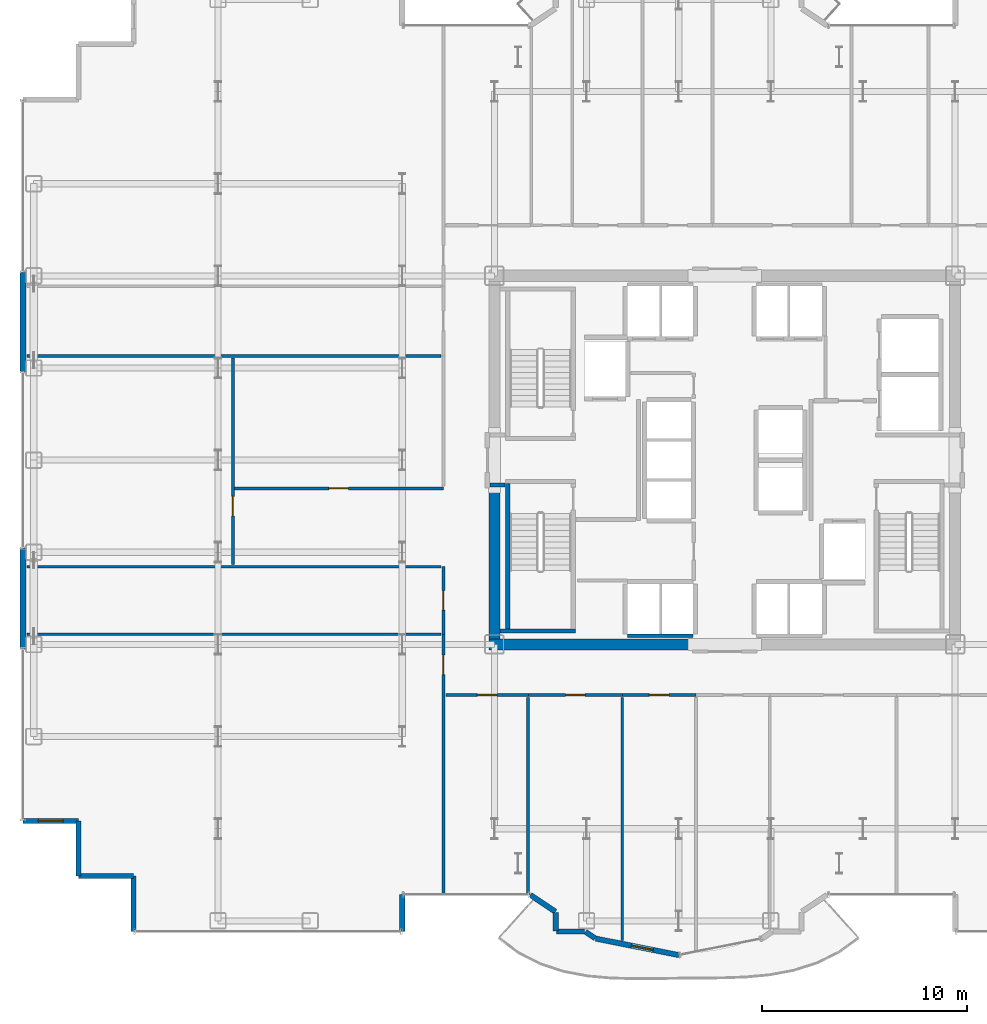
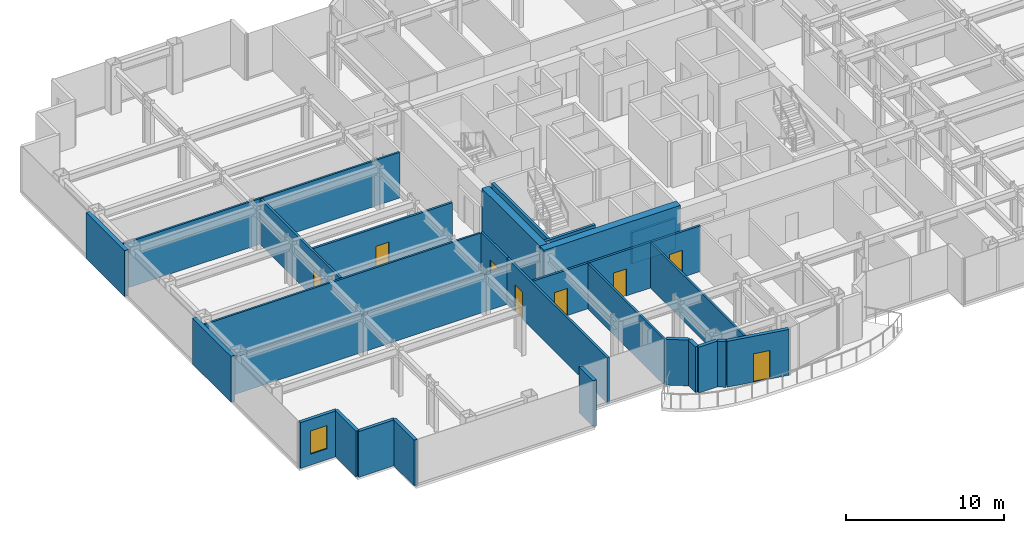
# One storey, part 22 of 29: 30 walls, 8 doors, 1 window, 9 openings.
"""IFC4 building model written with IfcOpenShell, lengths in metres."""

from ifc_helpers import new_model, si_unit, direction, frame, frame_2d, origin, place, context, subcontext, project, spatial, rectangle, extrude, source, transform, mapped, material, layer, layer_set, type_object, element, fill, save


model = new_model("IFC4")

# Units and contexts
model_context = context("Model", 3, precision=1e-05, world=origin(), true_north=direction((0.0, 1.0)))
body_context = subcontext(model_context, "Body", "Model", "MODEL_VIEW")
ifc_project = project(units=[si_unit("LENGTHUNIT", "METRE"), si_unit("AREAUNIT", "SQUARE_METRE"), si_unit("VOLUMEUNIT", "CUBIC_METRE"), si_unit("PLANEANGLEUNIT", "RADIAN"), si_unit("MASSUNIT", "GRAM", prefix="KILO")], contexts=[model_context])

# Site, building, storey
site_placement = place(None, origin())
site = spatial("IfcSite", under=ifc_project, at=site_placement, CompositionType="ELEMENT")
building_placement = place(site_placement, origin())
building = spatial("IfcBuilding", under=site, at=building_placement, Name="Nefas-Gora Pilgrimage Tower", CompositionType="ELEMENT")
storey_placement = place(building_placement, frame((0.0, 0.0, 113.60009765625)))
storey = spatial("IfcBuildingStorey", under=building, at=storey_placement, Name="L27", CompositionType="ELEMENT", Elevation=113.60009765625)

# Walls
ifc_material_1 = material(Name="Concrete C60/75", Category="concrete")
ifc_layer_1 = layer(ifc_material_1, 0.550048828125)
ifc_layer_set_1 = layer_set([ifc_layer_1], Name="Concrete C60/75")
wall_type_1 = type_object("IfcWallType", Name="SW-CORE-550", PredefinedType="SHEAR", material=ifc_layer_set_1)
shared_shape_1 = source(origin(), body_context, "Body", "SweptSolid", [
    extrude(rectangle(XDim=9.974853515625, YDim=0.550048828125, at=frame_2d((4.9873046875, 0.0))), origin(), (0.0, 0.0, 1.0), 3.7998046875),
])
wall_1_placement = place(storey_placement, frame((-11.52490234375, -9.0, 0.0), z_axis=(0.0, 0.0, 1.0), x_axis=(1.0, 0.0, 0.0)))
element("IfcWall", 1, at=wall_1_placement, inside=storey, type_object=wall_type_1, Name="L27 Core Shear Wall S-West", PredefinedType="SHEAR", context=body_context, shape_type="MappedRepresentation", body=[
    mapped(shared_shape_1, transform((0.0, 0.0, 0.0), x_axis=(1.0, 0.0, 0.0), y_axis=(0.0, 1.0, 0.0), z_axis=(0.0, 0.0, 1.0), scale=1.0)),
])
shared_shape_2 = source(origin(), body_context, "Body", "SweptSolid", [
    extrude(rectangle(XDim=7.375, YDim=0.550048828125, at=frame_2d((3.6875, 0.0))), origin(), (0.0, 0.0, 1.0), 3.7998046875),
])
wall_2_placement = place(storey_placement, frame((-11.25, -8.72509765625, 0.0), z_axis=(0.0, 0.0, 1.0), x_axis=(0.0, 1.0, 0.0)))
element("IfcWall", 2, at=wall_2_placement, inside=storey, type_object=wall_type_1, Name="L27 Core Shear Wall W-South", PredefinedType="SHEAR", context=body_context, shape_type="MappedRepresentation", body=[
    mapped(shared_shape_2, transform((0.0, 0.0, 0.0), x_axis=(1.0, 0.0, 0.0), y_axis=(0.0, 1.0, 0.0), z_axis=(0.0, 0.0, 1.0), scale=1.0)),
])
ifc_material_2 = material(Name="Precast concrete C40/50", Category="concrete")
ifc_layer_2 = layer(ifc_material_2, 0.260009765625)
ifc_layer_set_2 = layer_set([ifc_layer_2], Name="Precast concrete C40/50")
wall_type_2 = type_object("IfcWallType", Name="EW-PORTAL-260", PredefinedType="SOLIDWALL", material=ifc_layer_set_2)
shared_shape_3 = source(origin(), body_context, "Body", "SweptSolid", [
    extrude(rectangle(XDim=1.800048828125, YDim=0.260009765625, at=frame_2d((0.89990234375, 0.0))), origin(), (0.0, 0.0, 1.0), 3.5498046875),
])
wall_3_placement = place(storey_placement, frame((-15.75, -23.02001953125, 0.0), z_axis=(0.0, 0.0, 1.0), x_axis=(0.0, 1.0, 0.0)))
element("IfcWall", 3, at=wall_3_placement, inside=storey, type_object=wall_type_2, Name="L27 Lobe Shoulder Precast Spandrel Pier 33", PredefinedType="SOLIDWALL", context=body_context, shape_type="MappedRepresentation", body=[
    mapped(shared_shape_3, transform((0.0, 0.0, 0.0), x_axis=(1.0, 0.0, 0.0), y_axis=(0.0, 1.0, 0.0), z_axis=(0.0, 0.0, 1.0), scale=1.0)),
])

# Wall, opening, window
ifc_material_3 = material(Name="Precast concrete C45/55", Category="concrete")
ifc_layer_3 = layer(ifc_material_3, 0.239990234375)
ifc_layer_set_3 = layer_set([ifc_layer_3], Name="Precast concrete C45/55")
wall_type_3 = type_object("IfcWallType", Name="EW-SERR-240", PredefinedType="SHEAR", material=ifc_layer_set_3)
shared_shape_4 = source(origin(), body_context, "Body", "SweptSolid", [
    extrude(rectangle(XDim=2.699951171875, YDim=0.239990234375, at=frame_2d((1.35009765625, 0.0))), origin(), (0.0, 0.0, 1.0), 3.5498046875),
])
wall_4_placement = place(storey_placement, frame((-34.27001953125, -17.6201171875, 0.0), z_axis=(0.0, 0.0, 1.0), x_axis=(1.0, 0.0, 0.0)))
wall_4 = element("IfcWall", 4, at=wall_4_placement, inside=storey, type_object=wall_type_3, Name="L27 Serrated Corner Shear Pier Wall 29", PredefinedType="SHEAR", context=body_context, shape_type="MappedRepresentation", body=[
    mapped(shared_shape_4, transform((0.0, 0.0, 0.0), x_axis=(1.0, 0.0, 0.0), y_axis=(0.0, 1.0, 0.0), z_axis=(0.0, 0.0, 1.0), scale=1.0)),
])
opening_1_placement = place(wall_4_placement, frame((0.75, 0.0, 0.85009765625)))
opening_1 = element("IfcOpeningElement", 5, at=opening_1_placement, cuts=wall_4, Name="Opening W-V1", PredefinedType="OPENING", context=body_context, shape_type="SweptSolid", body=[
    extrude(rectangle(XDim=1.199951171875, YDim=1.800048828125, at=frame_2d((0.60009765625, 0.89990234375))), frame((0.0, 0.1298828125, 0.0), z_axis=(0.0, -1.0, 0.0), x_axis=(1.0, 0.0, 0.0)), (0.0, 0.0, 1.0), 0.260009765625),
])
ifc_material_4 = material(Name="Dark ceramic-fritted operable aluminium-glass window", Category="aluminium")
window_type = type_object("IfcWindowType", Name="WIN-VENT-1200x1800", PartitioningType="SINGLE_PANEL", PredefinedType="WINDOW", material=ifc_material_4)
shared_shape_5 = source(origin(), body_context, "Body", "SweptSolid", [
    extrude(rectangle(XDim=1.199951171875, YDim=1.800048828125, at=frame_2d((0.60009765625, 0.89990234375))), frame((0.0, 0.030029296875, 0.0), z_axis=(0.0, -1.0, 0.0), x_axis=(1.0, 0.0, 0.0)), (0.0, 0.0, 1.0), 0.06005859375),
])
window_placement = place(opening_1_placement, origin())
window = element("IfcWindow", 6, at=window_placement, inside=storey, type_object=window_type, Name="L27 Operable Parallel-Outswing Window 29", OverallHeight=1.800048828125, OverallWidth=1.199951171875, PartitioningType="SINGLE_PANEL", PredefinedType="WINDOW", context=body_context, shape_type="MappedRepresentation", body=[
    mapped(shared_shape_5, transform((0.0, 0.0, 0.0), x_axis=(1.0, 0.0, 0.0), y_axis=(0.0, 1.0, 0.0), z_axis=(0.0, 0.0, 1.0), scale=1.0)),
])
fill(opening_1, window)

# Walls
for number, where, z_axis, x_axis, name in (
    (7, (-31.570068359375, -17.6201171875, 0.0), (0.0, 0.0, 1.0), (0.0, -1.0, 0.0), "L27 Serrated Corner Shear Pier Wall 30"),
    (8, (-31.570068359375, -20.320068359375, 0.0), (0.0, 0.0, 1.0), (1.0, 0.0, 0.0), "L27 Serrated Corner Shear Pier Wall 31"),
    (9, (-28.8701171875, -20.320068359375, 0.0), (0.0, 0.0, 1.0), (0.0, -1.0, 0.0), "L27 Serrated Corner Shear Pier Wall 32"),
):
    element("IfcWall", number, at=place(storey_placement, frame(where, z_axis=z_axis, x_axis=x_axis)), inside=storey, type_object=wall_type_3, Name=name, PredefinedType="SHEAR", context=body_context, shape_type="MappedRepresentation", body=[
        mapped(shared_shape_4, transform((0.0, 0.0, 0.0), x_axis=(1.0, 0.0, 0.0), y_axis=(0.0, 1.0, 0.0), z_axis=(0.0, 0.0, 1.0), scale=1.0)),
    ])
shared_shape_6 = source(origin(), body_context, "Body", "SweptSolid", [
    extrude(rectangle(XDim=1.468994140625, YDim=0.260009765625, at=frame_2d((0.734375, 0.0))), origin(), (0.0, 0.0, 1.0), 3.5498046875),
])
wall_5_placement = place(storey_placement, frame((-9.49462890625, -21.235595703125, 0.0), z_axis=(0.0, 0.0, 1.0), x_axis=(0.831461760506, -0.555581983884, 0.0)))
element("IfcWall", 10, at=wall_5_placement, inside=storey, type_object=wall_type_2, Name="L27 Lobe Shoulder Precast Spandrel Pier 34", PredefinedType="SOLIDWALL", context=body_context, shape_type="MappedRepresentation", body=[
    mapped(shared_shape_6, transform((0.0, 0.0, 0.0), x_axis=(1.0, 0.0, 0.0), y_axis=(0.0, 1.0, 0.0), z_axis=(0.0, 0.0, 1.0), scale=1.0)),
])
shared_shape_7 = source(origin(), body_context, "Body", "SweptSolid", [
    extrude(rectangle(XDim=0.896728515625, YDim=0.260009765625, at=frame_2d((0.4482421875, 0.0))), origin(), (0.0, 0.0, 1.0), 3.5498046875),
])
wall_6_placement = place(storey_placement, frame((-8.25, -22.09521484375, 0.0), z_axis=(0.0, 0.0, 1.0), x_axis=(0.0, -1.0, 0.0)))
element("IfcWall", 11, at=wall_6_placement, inside=storey, type_object=wall_type_2, Name="L27 Lobe Shoulder Precast Spandrel Pier 35", PredefinedType="SOLIDWALL", context=body_context, shape_type="MappedRepresentation", body=[
    mapped(shared_shape_7, transform((0.0, 0.0, 0.0), x_axis=(1.0, 0.0, 0.0), y_axis=(0.0, 1.0, 0.0), z_axis=(0.0, 0.0, 1.0), scale=1.0)),
])
shared_shape_8 = source(origin(), body_context, "Body", "SweptSolid", [
    extrude(rectangle(XDim=1.369873046875, YDim=0.260009765625, at=frame_2d((0.68505859375, 0.0))), origin(), (0.0, 0.0, 1.0), 3.5498046875),
])
wall_7_placement = place(storey_placement, frame((-8.221923828125, -23.02001953125, 0.0), z_axis=(0.0, 0.0, 1.0), x_axis=(1.0, 0.0, 0.0)))
element("IfcWall", 12, at=wall_7_placement, inside=storey, type_object=wall_type_2, Name="L27 Lobe Shoulder Precast Spandrel Pier 36", PredefinedType="SOLIDWALL", context=body_context, shape_type="MappedRepresentation", body=[
    mapped(shared_shape_8, transform((0.0, 0.0, 0.0), x_axis=(1.0, 0.0, 0.0), y_axis=(0.0, 1.0, 0.0), z_axis=(0.0, 0.0, 1.0), scale=1.0)),
])
shared_shape_9 = source(origin(), body_context, "Body", "SweptSolid", [
    extrude(rectangle(XDim=0.5654296875, YDim=0.260009765625, at=frame_2d((0.28271484375, 0.0))), origin(), (0.0, 0.0, 1.0), 3.5498046875),
])
wall_8_placement = place(storey_placement, frame((-6.80078125, -23.03564453125, 0.0), z_axis=(0.0, 0.0, 1.0), x_axis=(0.831651492666, -0.555297933317, 0.0)))
element("IfcWall", 13, at=wall_8_placement, inside=storey, type_object=wall_type_2, Name="L27 Lobe Shoulder Precast Spandrel Pier 37", PredefinedType="SOLIDWALL", context=body_context, shape_type="MappedRepresentation", body=[
    mapped(shared_shape_9, transform((0.0, 0.0, 0.0), x_axis=(1.0, 0.0, 0.0), y_axis=(0.0, 1.0, 0.0), z_axis=(0.0, 0.0, 1.0), scale=1.0)),
])
shared_shape_10 = source(origin(), body_context, "Body", "SweptSolid", [
    extrude(rectangle(XDim=4.8798828125, YDim=0.300048828125, at=frame_2d((2.43994140625, 0.0))), origin(), (0.0, 0.0, 1.0), 3.5498046875),
])
for number, where, z_axis, x_axis, name in (
    (14, (-34.27001953125, -9.18994140625, 0.0), (0.0, 0.0, 1.0), (0.0, 1.0, 0.0), "L27 Braced-Tube Precast Shear Cladding 1"),
    (15, (-34.27001953125, 4.31005859375, 0.0), (0.0, 0.0, 1.0), (0.0, 1.0, 0.0), "L27 Braced-Tube Precast Shear Cladding 2"),
):
    element("IfcWall", number, at=place(storey_placement, frame(where, z_axis=z_axis, x_axis=x_axis)), inside=storey, type_object=wall_type_3, Name=name, PredefinedType="SHEAR", context=body_context, shape_type="MappedRepresentation", body=[
        mapped(shared_shape_10, transform((0.0, 0.0, 0.0), x_axis=(1.0, 0.0, 0.0), y_axis=(0.0, 1.0, 0.0), z_axis=(0.0, 0.0, 1.0), scale=1.0)),
    ])

# Wall, opening, door
shared_shape_11 = source(origin(), body_context, "Body", "SweptSolid", [
    extrude(rectangle(XDim=4.136962890625, YDim=0.260009765625, at=frame_2d((2.068359375, 0.0))), origin(), (0.0, 0.0, 1.0), 3.5498046875),
])
wall_9_placement = place(storey_placement, frame((-6.307373046875, -23.365234375, 0.0), z_axis=(0.0, 0.0, 1.0), x_axis=(0.980782170794, -0.195105954428, 0.0)))
wall_9 = element("IfcWall", 16, at=wall_9_placement, inside=storey, type_object=wall_type_2, Name="L27 Insulated Terrace Portal Wall 38", PredefinedType="SOLIDWALL", context=body_context, shape_type="MappedRepresentation", body=[
    mapped(shared_shape_11, transform((0.0, 0.0, 0.0), x_axis=(1.0, 0.0, 0.0), y_axis=(0.0, 1.0, 0.0), z_axis=(0.0, 0.0, 1.0), scale=1.0)),
])
opening_2_placement = place(wall_9_placement, frame((1.776123046875, 0.0, 0.0)))
opening_2 = element("IfcOpeningElement", 17, at=opening_2_placement, cuts=wall_9, Name="Opening ED-B1", PredefinedType="OPENING", context=body_context, shape_type="SweptSolid", body=[
    extrude(rectangle(XDim=1.10009765625, YDim=2.199951171875, at=frame_2d((0.550048828125, 1.10009765625))), frame((0.0, 0.139892578125, 0.0), z_axis=(0.0, -1.0, 0.0), x_axis=(1.0, 0.0, 0.0)), (0.0, 0.0, 1.0), 0.280029296875),
])
ifc_material_5 = material(Name="Thermally broken glazed aluminium balcony door", Category="aluminium")
door_type_1 = type_object("IfcDoorType", Name="DR-EXT-BAL-1100", OperationType="NOTDEFINED", PredefinedType="DOOR", material=ifc_material_5)
shared_shape_12 = source(origin(), body_context, "Body", "SweptSolid", [
    extrude(rectangle(XDim=1.10009765625, YDim=2.199951171875, at=frame_2d((0.550048828125, 1.10009765625))), frame((0.0, 0.02490234375, 0.0), z_axis=(0.0, -1.0, 0.0), x_axis=(1.0, 0.0, 0.0)), (0.0, 0.0, 1.0), 0.050048828125),
])
door_1_placement = place(opening_2_placement, origin())
door_1 = element("IfcDoor", 18, at=door_1_placement, inside=storey, type_object=door_type_1, Name="L27 Exterior Door (L27 S Lobe Wave Balcony)", OperationType="SINGLE_SWING_LEFT", OverallHeight=2.199951171875, OverallWidth=1.10009765625, PredefinedType="DOOR", context=body_context, shape_type="MappedRepresentation", body=[
    mapped(shared_shape_12, transform((0.0, 0.0, 0.0), x_axis=(1.0, 0.0, 0.0), y_axis=(0.0, 1.0, 0.0), z_axis=(0.0, 0.0, 1.0), scale=1.0)),
])
fill(opening_2, door_1)

# Walls
ifc_material_6 = material(Name="Concrete C45/55", Category="concrete")
ifc_layer_4 = layer(ifc_material_6, 0.199951171875)
ifc_layer_set_4 = layer_set([ifc_layer_4], Name="Concrete C45/55")
wall_type_4 = type_object("IfcWallType", Name="IW-STAIR-200", PredefinedType="SOLIDWALL", material=ifc_layer_set_4)
shared_shape_13 = source(origin(), body_context, "Body", "SweptSolid", [
    extrude(rectangle(XDim=7.10009765625, YDim=0.199951171875, at=frame_2d((3.550048828125, 0.0))), origin(), (0.0, 0.0, 1.0), 3.7998046875),
])
wall_10_placement = place(storey_placement, frame((-10.60009765625, -1.14990234375, 0.0), z_axis=(0.0, 0.0, 1.0), x_axis=(0.0, -1.0, 0.0)))
element("IfcWall", 19, at=wall_10_placement, inside=storey, type_object=wall_type_4, Name="L27 Stairwell Shear Wall ST-03-left", PredefinedType="SOLIDWALL", context=body_context, shape_type="MappedRepresentation", body=[
    mapped(shared_shape_13, transform((0.0, 0.0, 0.0), x_axis=(1.0, 0.0, 0.0), y_axis=(0.0, 1.0, 0.0), z_axis=(0.0, 0.0, 1.0), scale=1.0)),
])
shared_shape_14 = source(origin(), body_context, "Body", "SweptSolid", [
    extrude(rectangle(XDim=3.679931640625, YDim=0.199951171875, at=frame_2d((1.83984375, 0.0))), origin(), (0.0, 0.0, 1.0), 3.7998046875),
])
wall_11_placement = place(storey_placement, frame((-10.97998046875, -8.35009765625, 0.0), z_axis=(0.0, 0.0, 1.0), x_axis=(1.0, 0.0, 0.0)))
element("IfcWall", 20, at=wall_11_placement, inside=storey, type_object=wall_type_4, Name="L27 Stairwell Shear Wall ST-03-far", PredefinedType="SOLIDWALL", context=body_context, shape_type="MappedRepresentation", body=[
    mapped(shared_shape_14, transform((0.0, 0.0, 0.0), x_axis=(1.0, 0.0, 0.0), y_axis=(0.0, 1.0, 0.0), z_axis=(0.0, 0.0, 1.0), scale=1.0)),
])
ifc_material_7 = material(Name="Gypsum acoustic stud partition")
ifc_layer_5 = layer(ifc_material_7, 0.159912109375)
ifc_layer_set_5 = layer_set([ifc_layer_5], Name="Gypsum acoustic stud partition")
wall_type_5 = type_object("IfcWallType", Name="IW-CORR-160", PredefinedType="PARTITIONING", material=ifc_layer_set_5)
shared_shape_15 = source(origin(), body_context, "Body", "SweptSolid", [
    extrude(rectangle(XDim=3.199951171875, YDim=0.159912109375, at=frame_2d((1.60009765625, 0.0))), origin(), (0.0, 0.0, 1.0), 2.4248046875),
])
wall_12_placement = place(storey_placement, frame((-4.75, -8.580078125, 0.0), z_axis=(0.0, 0.0, 1.0), x_axis=(1.0, 0.0, 0.0)))
element("IfcWall", 21, at=wall_12_placement, inside=storey, type_object=wall_type_5, Name="L27 Hoistway Wall PL2-W-S", PredefinedType="PARTITIONING", context=body_context, shape_type="MappedRepresentation", body=[
    mapped(shared_shape_15, transform((0.0, 0.0, 0.0), x_axis=(1.0, 0.0, 0.0), y_axis=(0.0, 1.0, 0.0), z_axis=(0.0, 0.0, 1.0), scale=1.0)),
])
ifc_material_8 = material(Name="Gypsum fire-rated shaftwall")
ifc_layer_6 = layer(ifc_material_8, 0.199951171875)
ifc_layer_set_6 = layer_set([ifc_layer_6], Name="Gypsum fire-rated shaftwall")
wall_type_6 = type_object("IfcWallType", Name="IW-FFLOB-200", PredefinedType="PARTITIONING", material=ifc_layer_set_6)
shared_shape_16 = source(origin(), body_context, "Body", "SweptSolid", [
    extrude(rectangle(XDim=0.719970703125, YDim=0.199951171875, at=frame_2d((0.35986328125, 0.0))), origin(), (0.0, 0.0, 1.0), 3.534912109375),
])
wall_13_placement = place(storey_placement, frame((-11.4599609375, -1.219970703125, 0.0), z_axis=(0.0, 0.0, 1.0), x_axis=(1.0, 0.0, 0.0)))
element("IfcWall", 22, at=wall_13_placement, inside=storey, type_object=wall_type_6, Name="L27 FF Lobby West Throat S Wall 7", PredefinedType="PARTITIONING", context=body_context, shape_type="MappedRepresentation", body=[
    mapped(shared_shape_16, transform((0.0, 0.0, 0.0), x_axis=(1.0, 0.0, 0.0), y_axis=(0.0, 1.0, 0.0), z_axis=(0.0, 0.0, 1.0), scale=1.0)),
])
ifc_material_9 = material(Name="Gypsum twin-stud partition")
ifc_layer_7 = layer(ifc_material_9, 0.139892578125)
ifc_layer_set_7 = layer_set([ifc_layer_7], Name="Gypsum twin-stud partition")
wall_type_7 = type_object("IfcWallType", Name="IW-UNIT-140", PredefinedType="PARTITIONING", material=ifc_layer_set_7)
shared_shape_17 = source(origin(), body_context, "Body", "SweptSolid", [
    extrude(rectangle(XDim=20.219970703125, YDim=0.139892578125, at=frame_2d((10.10986328125, 0.0))), origin(), (0.0, 0.0, 1.0), 3.534912109375),
])
wall_14_placement = place(storey_placement, frame((-34.080078125, -5.205078125, 0.0), z_axis=(0.0, 0.0, 1.0), x_axis=(1.0, 0.0, 0.0)))
element("IfcWall", 23, at=wall_14_placement, inside=storey, type_object=wall_type_7, Name="L27 Pilgrim Devotional Prayer Gallery Partition Wall 26", PredefinedType="PARTITIONING", context=body_context, shape_type="MappedRepresentation", body=[
    mapped(shared_shape_17, transform((0.0, 0.0, 0.0), x_axis=(1.0, 0.0, 0.0), y_axis=(0.0, 1.0, 0.0), z_axis=(0.0, 0.0, 1.0), scale=1.0)),
])

# Wall, opening, door
shared_shape_18 = source(origin(), body_context, "Body", "SweptSolid", [
    extrude(rectangle(XDim=10.25, YDim=0.159912109375, at=frame_2d((5.125, 0.0))), origin(), (0.0, 0.0, 1.0), 3.534912109375),
])
wall_15_placement = place(storey_placement, frame((-23.97998046875, -1.3798828125, 0.0), z_axis=(0.0, 0.0, 1.0), x_axis=(1.0, 0.0, 0.0)))
wall_15 = element("IfcWall", 24, at=wall_15_placement, inside=storey, type_object=wall_type_5, Name="L27 Pilgrim Devotional Prayer Gallery Partition Wall 27", PredefinedType="PARTITIONING", context=body_context, shape_type="MappedRepresentation", body=[
    mapped(shared_shape_18, transform((0.0, 0.0, 0.0), x_axis=(1.0, 0.0, 0.0), y_axis=(0.0, 1.0, 0.0), z_axis=(0.0, 0.0, 1.0), scale=1.0)),
])
opening_3_placement = place(wall_15_placement, frame((4.64990234375, 0.0, 0.0)))
opening_3 = element("IfcOpeningElement", 25, at=opening_3_placement, cuts=wall_15, Name="Opening ID-GR1", PredefinedType="OPENING", context=body_context, shape_type="SweptSolid", body=[
    extrude(rectangle(XDim=0.949951171875, YDim=2.10009765625, at=frame_2d((0.47509765625, 1.050048828125))), frame((0.0, 0.08984375, 0.0), z_axis=(0.0, -1.0, 0.0), x_axis=(1.0, 0.0, 0.0)), (0.0, 0.0, 1.0), 0.179931640625),
])
ifc_material_10 = material(Name="Solid core oak fire-rated guest entrance door")
door_type_2 = type_object("IfcDoorType", Name="DR-INT-GUEST-950", OperationType="NOTDEFINED", PredefinedType="DOOR", material=ifc_material_10)
shared_shape_19 = source(origin(), body_context, "Body", "SweptSolid", [
    extrude(rectangle(XDim=0.949951171875, YDim=2.10009765625, at=frame_2d((0.47509765625, 1.050048828125))), frame((0.0, 0.02490234375, 0.0), z_axis=(0.0, -1.0, 0.0), x_axis=(1.0, 0.0, 0.0)), (0.0, 0.0, 1.0), 0.050048828125),
])
door_2_placement = place(opening_3_placement, origin())
door_2 = element("IfcDoor", 26, at=door_2_placement, inside=storey, type_object=door_type_2, Name="L27 Pilgrim Devotional Prayer Gallery Door 11", OperationType="SINGLE_SWING_LEFT", OverallHeight=2.10009765625, OverallWidth=0.949951171875, PredefinedType="DOOR", context=body_context, shape_type="MappedRepresentation", body=[
    mapped(shared_shape_19, transform((0.0, 0.0, 0.0), x_axis=(1.0, 0.0, 0.0), y_axis=(0.0, 1.0, 0.0), z_axis=(0.0, 0.0, 1.0), scale=1.0)),
])
fill(opening_3, door_2)

# Walls
shared_shape_20 = source(origin(), body_context, "Body", "SweptSolid", [
    extrude(rectangle(XDim=20.22998046875, YDim=0.139892578125, at=frame_2d((10.114990234375, 0.0))), origin(), (0.0, 0.0, 1.0), 3.534912109375),
])
wall_16_placement = place(storey_placement, frame((-34.080078125, 5.094970703125, 0.0), z_axis=(0.0, 0.0, 1.0), x_axis=(1.0, 0.0, 0.0)))
element("IfcWall", 27, at=wall_16_placement, inside=storey, type_object=wall_type_7, Name="L27 Pilgrim Devotional Prayer Gallery Partition Wall 29", PredefinedType="PARTITIONING", context=body_context, shape_type="MappedRepresentation", body=[
    mapped(shared_shape_20, transform((0.0, 0.0, 0.0), x_axis=(1.0, 0.0, 0.0), y_axis=(0.0, 1.0, 0.0), z_axis=(0.0, 0.0, 1.0), scale=1.0)),
])
shared_shape_21 = source(origin(), body_context, "Body", "SweptSolid", [
    extrude(rectangle(XDim=9.64990234375, YDim=0.139892578125, at=frame_2d((4.824951171875, 0.0))), origin(), (0.0, 0.0, 1.0), 3.534912109375),
])
wall_17_placement = place(storey_placement, frame((-9.60498046875, -21.239990234375, 0.0), z_axis=(0.0, 0.0, 1.0), x_axis=(0.0, 1.0, 0.0)))
element("IfcWall", 28, at=wall_17_placement, inside=storey, type_object=wall_type_7, Name="L27 Pilgrim Contemplative Lounge Partition Wall 55", PredefinedType="PARTITIONING", context=body_context, shape_type="MappedRepresentation", body=[
    mapped(shared_shape_21, transform((0.0, 0.0, 0.0), x_axis=(1.0, 0.0, 0.0), y_axis=(0.0, 1.0, 0.0), z_axis=(0.0, 0.0, 1.0), scale=1.0)),
])

# Wall, opening, door
shared_shape_22 = source(origin(), body_context, "Body", "SweptSolid", [
    extrude(rectangle(XDim=3.60498046875, YDim=0.159912109375, at=frame_2d((1.802490234375, 0.0))), origin(), (0.0, 0.0, 1.0), 3.534912109375),
])
wall_18_placement = place(storey_placement, frame((-5.0048828125, -11.469970703125, 0.0), z_axis=(0.0, 0.0, 1.0), x_axis=(1.0, 0.0, 0.0)))
wall_18 = element("IfcWall", 29, at=wall_18_placement, inside=storey, type_object=wall_type_5, Name="L27 Pilgrim Contemplative Lounge Partition Wall 58", PredefinedType="PARTITIONING", context=body_context, shape_type="MappedRepresentation", body=[
    mapped(shared_shape_22, transform((0.0, 0.0, 0.0), x_axis=(1.0, 0.0, 0.0), y_axis=(0.0, 1.0, 0.0), z_axis=(0.0, 0.0, 1.0), scale=1.0)),
])
opening_4_placement = place(wall_18_placement, frame((1.327392578125, 0.0, 0.0)))
opening_4 = element("IfcOpeningElement", 30, at=opening_4_placement, cuts=wall_18, Name="Opening ID-GR1", PredefinedType="OPENING", context=body_context, shape_type="SweptSolid", body=[
    extrude(rectangle(XDim=0.949951171875, YDim=2.10009765625, at=frame_2d((0.47509765625, 1.050048828125))), frame((0.0, 0.08984375, 0.0), z_axis=(0.0, -1.0, 0.0), x_axis=(1.0, 0.0, 0.0)), (0.0, 0.0, 1.0), 0.179931640625),
])
door_3_placement = place(opening_4_placement, origin())
door_3 = element("IfcDoor", 31, at=door_3_placement, inside=storey, type_object=door_type_2, Name="L27 Pilgrim Contemplative Lounge Door 28", OperationType="SINGLE_SWING_RIGHT", OverallHeight=2.10009765625, OverallWidth=0.949951171875, PredefinedType="DOOR", context=body_context, shape_type="MappedRepresentation", body=[
    mapped(shared_shape_19, transform((0.0, 0.0, 0.0), x_axis=(1.0, 0.0, 0.0), y_axis=(0.0, 1.0, 0.0), z_axis=(0.0, 0.0, 1.0), scale=1.0)),
])
fill(opening_4, door_3)

shared_shape_23 = source(origin(), body_context, "Body", "SweptSolid", [
    extrude(rectangle(XDim=12.744873046875, YDim=0.159912109375, at=frame_2d((6.37255859375, 0.0))), origin(), (0.0, 0.0, 1.0), 3.534912109375),
])
wall_19_placement = place(storey_placement, frame((-13.739990234375, -21.239990234375, 0.0), z_axis=(0.0, 0.0, 1.0), x_axis=(0.0, 1.0, 0.0)))
wall_19 = element("IfcWall", 32, at=wall_19_placement, inside=storey, type_object=wall_type_5, Name="L27 Pilgrim Devotional Prayer Gallery Partition Wall 23", PredefinedType="PARTITIONING", context=body_context, shape_type="MappedRepresentation", body=[
    mapped(shared_shape_23, transform((0.0, 0.0, 0.0), x_axis=(1.0, 0.0, 0.0), y_axis=(0.0, 1.0, 0.0), z_axis=(0.0, 0.0, 1.0), scale=1.0)),
])
opening_5_placement = place(wall_19_placement, frame((10.762451171875, 0.0, 0.0)))
opening_5 = element("IfcOpeningElement", 33, at=opening_5_placement, cuts=wall_19, Name="Opening ID-GR1", PredefinedType="OPENING", context=body_context, shape_type="SweptSolid", body=[
    extrude(rectangle(XDim=0.949951171875, YDim=2.10009765625, at=frame_2d((0.47509765625, 1.050048828125))), frame((0.0, 0.08984375, 0.0), z_axis=(0.0, -1.0, 0.0), x_axis=(1.0, 0.0, 0.0)), (0.0, 0.0, 1.0), 0.179931640625),
])
door_4_placement = place(opening_5_placement, origin())
door_4 = element("IfcDoor", 34, at=door_4_placement, inside=storey, type_object=door_type_2, Name="L27 Pilgrim Devotional Prayer Gallery Door 9", OperationType="SINGLE_SWING_LEFT", OverallHeight=2.10009765625, OverallWidth=0.949951171875, PredefinedType="DOOR", context=body_context, shape_type="MappedRepresentation", body=[
    mapped(shared_shape_19, transform((0.0, 0.0, 0.0), x_axis=(1.0, 0.0, 0.0), y_axis=(0.0, 1.0, 0.0), z_axis=(0.0, 0.0, 1.0), scale=1.0)),
])
fill(opening_5, door_4)

shared_shape_24 = source(origin(), body_context, "Body", "SweptSolid", [
    extrude(rectangle(XDim=3.309814453125, YDim=0.159912109375, at=frame_2d((1.65478515625, 0.0))), origin(), (0.0, 0.0, 1.0), 3.534912109375),
])
wall_20_placement = place(storey_placement, frame((-13.739990234375, -8.5048828125, 0.0), z_axis=(0.0, 0.0, 1.0), x_axis=(0.0, 1.0, 0.0)))
wall_20 = element("IfcWall", 35, at=wall_20_placement, inside=storey, type_object=wall_type_5, Name="L27 Pilgrim Devotional Prayer Gallery Partition Wall 25", PredefinedType="PARTITIONING", context=body_context, shape_type="MappedRepresentation", body=[
    mapped(shared_shape_24, transform((0.0, 0.0, 0.0), x_axis=(1.0, 0.0, 0.0), y_axis=(0.0, 1.0, 0.0), z_axis=(0.0, 0.0, 1.0), scale=1.0)),
])
opening_6_placement = place(wall_20_placement, frame((1.179931640625, 0.0, 0.0)))
opening_6 = element("IfcOpeningElement", 36, at=opening_6_placement, cuts=wall_20, Name="Opening ID-GR1", PredefinedType="OPENING", context=body_context, shape_type="SweptSolid", body=[
    extrude(rectangle(XDim=0.949951171875, YDim=2.10009765625, at=frame_2d((0.47509765625, 1.050048828125))), frame((0.0, 0.08984375, 0.0), z_axis=(0.0, -1.0, 0.0), x_axis=(1.0, 0.0, 0.0)), (0.0, 0.0, 1.0), 0.179931640625),
])
door_5_placement = place(opening_6_placement, origin())
door_5 = element("IfcDoor", 37, at=door_5_placement, inside=storey, type_object=door_type_2, Name="L27 Pilgrim Devotional Prayer Gallery Door 10", OperationType="SINGLE_SWING_RIGHT", OverallHeight=2.10009765625, OverallWidth=0.949951171875, PredefinedType="DOOR", context=body_context, shape_type="MappedRepresentation", body=[
    mapped(shared_shape_19, transform((0.0, 0.0, 0.0), x_axis=(1.0, 0.0, 0.0), y_axis=(0.0, 1.0, 0.0), z_axis=(0.0, 0.0, 1.0), scale=1.0)),
])
fill(opening_6, door_5)

shared_shape_25 = source(origin(), body_context, "Body", "SweptSolid", [
    extrude(rectangle(XDim=4.60986328125, YDim=0.159912109375, at=frame_2d((2.304931640625, 0.0))), origin(), (0.0, 0.0, 1.0), 3.534912109375),
])
wall_21_placement = place(storey_placement, frame((-9.60498046875, -11.469970703125, 0.0), z_axis=(0.0, 0.0, 1.0), x_axis=(1.0, 0.0, 0.0)))
wall_21 = element("IfcWall", 38, at=wall_21_placement, inside=storey, type_object=wall_type_5, Name="L27 Pilgrim Contemplative Lounge Partition Wall 56", PredefinedType="PARTITIONING", context=body_context, shape_type="MappedRepresentation", body=[
    mapped(shared_shape_25, transform((0.0, 0.0, 0.0), x_axis=(1.0, 0.0, 0.0), y_axis=(0.0, 1.0, 0.0), z_axis=(0.0, 0.0, 1.0), scale=1.0)),
])
opening_7_placement = place(wall_21_placement, frame((1.830078125, 0.0, 0.0)))
opening_7 = element("IfcOpeningElement", 39, at=opening_7_placement, cuts=wall_21, Name="Opening ID-GR1", PredefinedType="OPENING", context=body_context, shape_type="SweptSolid", body=[
    extrude(rectangle(XDim=0.949951171875, YDim=2.10009765625, at=frame_2d((0.47509765625, 1.050048828125))), frame((0.0, 0.08984375, 0.0), z_axis=(0.0, -1.0, 0.0), x_axis=(1.0, 0.0, 0.0)), (0.0, 0.0, 1.0), 0.179931640625),
])
door_6_placement = place(opening_7_placement, origin())
door_6 = element("IfcDoor", 40, at=door_6_placement, inside=storey, type_object=door_type_2, Name="L27 Pilgrim Contemplative Lounge Door 27", OperationType="SINGLE_SWING_LEFT", OverallHeight=2.10009765625, OverallWidth=0.949951171875, PredefinedType="DOOR", context=body_context, shape_type="MappedRepresentation", body=[
    mapped(shared_shape_19, transform((0.0, 0.0, 0.0), x_axis=(1.0, 0.0, 0.0), y_axis=(0.0, 1.0, 0.0), z_axis=(0.0, 0.0, 1.0), scale=1.0)),
])
fill(opening_7, door_6)

# Wall
shared_shape_26 = source(origin(), body_context, "Body", "SweptSolid", [
    extrude(rectangle(XDim=20.219970703125, YDim=0.139892578125, at=frame_2d((10.10986328125, 0.0))), origin(), (0.0, 0.0, 1.0), 2.875),
])
wall_22_placement = place(storey_placement, frame((-34.080078125, -8.5048828125, 0.0), z_axis=(0.0, 0.0, 1.0), x_axis=(1.0, 0.0, 0.0)))
element("IfcWall", 41, at=wall_22_placement, inside=storey, type_object=wall_type_7, Name="L27 Pilgrim Devotional Prayer Gallery Partition Wall 24", PredefinedType="PARTITIONING", context=body_context, shape_type="MappedRepresentation", body=[
    mapped(shared_shape_26, transform((0.0, 0.0, 0.0), x_axis=(1.0, 0.0, 0.0), y_axis=(0.0, 1.0, 0.0), z_axis=(0.0, 0.0, 1.0), scale=1.0)),
])

# Wall, opening, door
shared_shape_27 = source(origin(), body_context, "Body", "SweptSolid", [
    extrude(rectangle(XDim=10.080078125, YDim=0.159912109375, at=frame_2d((5.0400390625, 0.0))), origin(), (0.0, 0.0, 1.0), 3.534912109375),
])
wall_23_placement = place(storey_placement, frame((-24.02001953125, -5.094970703125, 0.0), z_axis=(0.0, 0.0, 1.0), x_axis=(0.0, 1.0, 0.0)))
wall_23 = element("IfcWall", 42, at=wall_23_placement, inside=storey, type_object=wall_type_5, Name="L27 Pilgrim Tea and Beverage Pantry Partition Wall 30", PredefinedType="PARTITIONING", context=body_context, shape_type="MappedRepresentation", body=[
    mapped(shared_shape_27, transform((0.0, 0.0, 0.0), x_axis=(1.0, 0.0, 0.0), y_axis=(0.0, 1.0, 0.0), z_axis=(0.0, 0.0, 1.0), scale=1.0)),
])
opening_8_placement = place(wall_23_placement, frame((2.3701171875, 0.0, 0.0)))
opening_8 = element("IfcOpeningElement", 43, at=opening_8_placement, cuts=wall_23, Name="Opening ID-GR1", PredefinedType="OPENING", context=body_context, shape_type="SweptSolid", body=[
    extrude(rectangle(XDim=0.949951171875, YDim=2.10009765625, at=frame_2d((0.47509765625, 1.050048828125))), frame((0.0, 0.08984375, 0.0), z_axis=(0.0, -1.0, 0.0), x_axis=(1.0, 0.0, 0.0)), (0.0, 0.0, 1.0), 0.179931640625),
])
door_7_placement = place(opening_8_placement, origin())
door_7 = element("IfcDoor", 44, at=door_7_placement, inside=storey, type_object=door_type_2, Name="L27 Pilgrim Tea and Beverage Pantry Door 12", OperationType="SINGLE_SWING_RIGHT", OverallHeight=2.10009765625, OverallWidth=0.949951171875, PredefinedType="DOOR", context=body_context, shape_type="MappedRepresentation", body=[
    mapped(shared_shape_19, transform((0.0, 0.0, 0.0), x_axis=(1.0, 0.0, 0.0), y_axis=(0.0, 1.0, 0.0), z_axis=(0.0, 0.0, 1.0), scale=1.0)),
])
fill(opening_8, door_7)

shared_shape_28 = source(origin(), body_context, "Body", "SweptSolid", [
    extrude(rectangle(XDim=4.025146484375, YDim=0.159912109375, at=frame_2d((2.0126953125, 0.0))), origin(), (0.0, 0.0, 1.0), 3.534912109375),
])
wall_24_placement = place(storey_placement, frame((-13.6201171875, -11.469970703125, 0.0), z_axis=(0.0, 0.0, 1.0), x_axis=(1.0, 0.0, 0.0)))
wall_24 = element("IfcWall", 45, at=wall_24_placement, inside=storey, type_object=wall_type_5, Name="L27 Pilgrim Contemplative Lounge Partition Wall 54", PredefinedType="PARTITIONING", context=body_context, shape_type="MappedRepresentation", body=[
    mapped(shared_shape_28, transform((0.0, 0.0, 0.0), x_axis=(1.0, 0.0, 0.0), y_axis=(0.0, 1.0, 0.0), z_axis=(0.0, 0.0, 1.0), scale=1.0)),
])
opening_9_placement = place(wall_24_placement, frame((1.53759765625, 0.0, 0.0)))
opening_9 = element("IfcOpeningElement", 46, at=opening_9_placement, cuts=wall_24, Name="Opening ID-GR1", PredefinedType="OPENING", context=body_context, shape_type="SweptSolid", body=[
    extrude(rectangle(XDim=0.949951171875, YDim=2.10009765625, at=frame_2d((0.47509765625, 1.050048828125))), frame((0.0, 0.08984375, 0.0), z_axis=(0.0, -1.0, 0.0), x_axis=(1.0, 0.0, 0.0)), (0.0, 0.0, 1.0), 0.179931640625),
])
door_8_placement = place(opening_9_placement, origin())
door_8 = element("IfcDoor", 47, at=door_8_placement, inside=storey, type_object=door_type_2, Name="L27 Pilgrim Contemplative Lounge Door 26", OperationType="SINGLE_SWING_RIGHT", OverallHeight=2.10009765625, OverallWidth=0.949951171875, PredefinedType="DOOR", context=body_context, shape_type="MappedRepresentation", body=[
    mapped(shared_shape_19, transform((0.0, 0.0, 0.0), x_axis=(1.0, 0.0, 0.0), y_axis=(0.0, 1.0, 0.0), z_axis=(0.0, 0.0, 1.0), scale=1.0)),
])
fill(opening_9, door_8)

# Wall
shared_shape_29 = source(origin(), body_context, "Body", "SweptSolid", [
    extrude(rectangle(XDim=11.861328125, YDim=0.139892578125, at=frame_2d((5.9306640625, 0.0))), origin(), (0.0, 0.0, 1.0), 3.534912109375),
])
wall_25_placement = place(storey_placement, frame((-5.0048828125, -23.451416015625, 0.0), z_axis=(0.0, 0.0, 1.0), x_axis=(0.0, 1.0, 0.0)))
element("IfcWall", 48, at=wall_25_placement, inside=storey, type_object=wall_type_7, Name="L27 Pilgrim Contemplative Lounge Partition Wall 57", PredefinedType="PARTITIONING", context=body_context, shape_type="MappedRepresentation", body=[
    mapped(shared_shape_29, transform((0.0, 0.0, 0.0), x_axis=(1.0, 0.0, 0.0), y_axis=(0.0, 1.0, 0.0), z_axis=(0.0, 0.0, 1.0), scale=1.0)),
])

save(model, "model.ifc")
